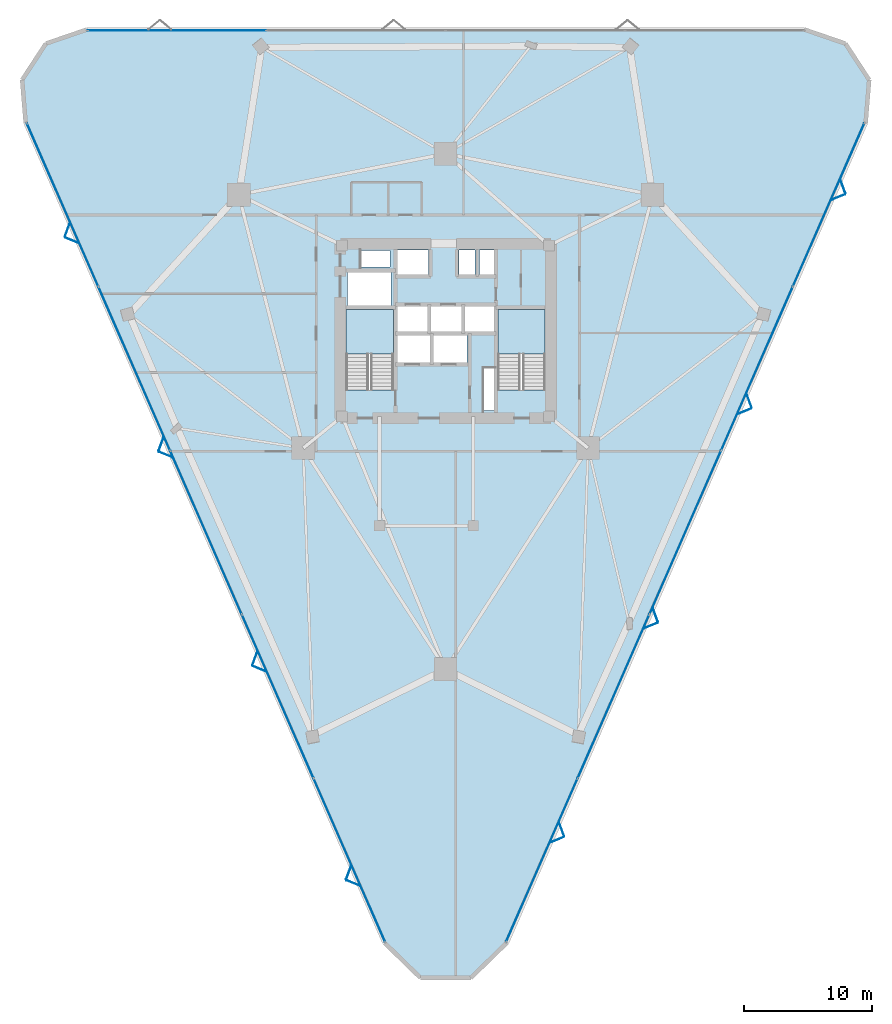
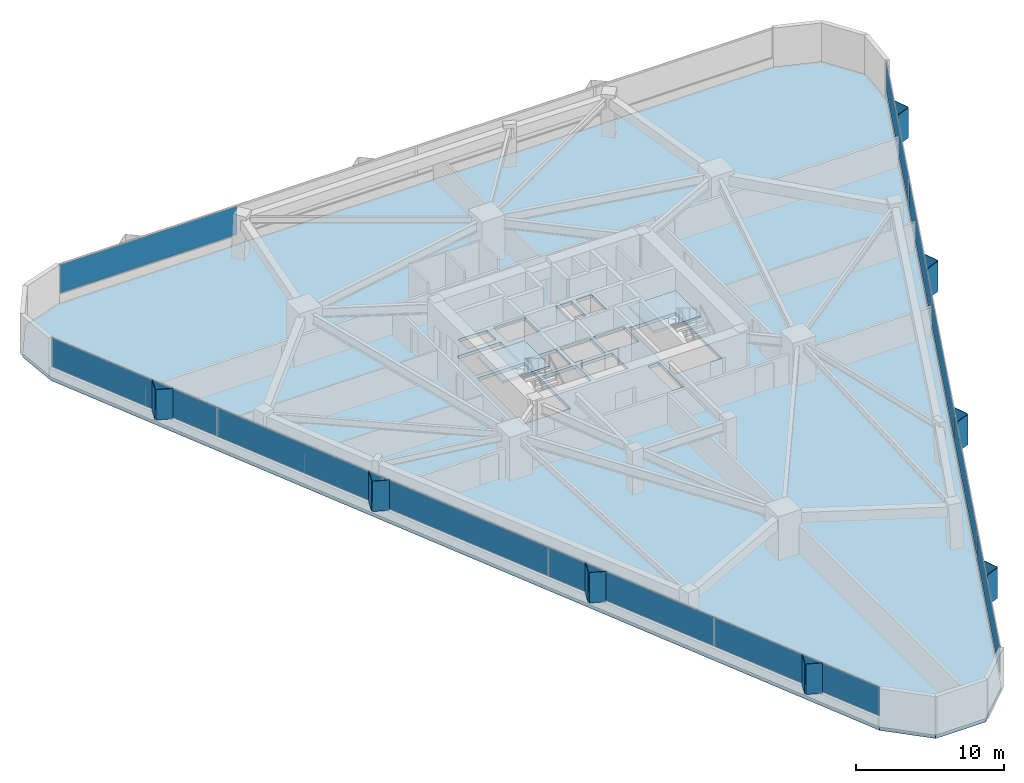
# One storey, part 15 of 20: 27 plates, 3 slabs, 5 elements without a shape of their own.
"""IFC4 building model written with IfcOpenShell, lengths in metres."""

from ifc_helpers import new_model, si_unit, direction, frame, origin, origin_2d, place, context, subcontext, project, spatial, polyline, rectangle, outline, extrude, material, layer, layer_set, type_object, element, aggregate, save


model = new_model("IFC4")

# Units and contexts
model_context = context("Model", 3, precision=1e-05, world=origin(), true_north=direction((0.0, 1.0)))
body_context = subcontext(model_context, "Body", "Model", "MODEL_VIEW")
ifc_project = project(units=[si_unit("LENGTHUNIT", "METRE"), si_unit("AREAUNIT", "SQUARE_METRE"), si_unit("VOLUMEUNIT", "CUBIC_METRE"), si_unit("PLANEANGLEUNIT", "RADIAN"), si_unit("MASSUNIT", "GRAM", prefix="KILO")], contexts=[model_context])

# Site, building, storey
site_placement = place(None, origin())
site = spatial("IfcSite", under=ifc_project, at=site_placement, CompositionType="ELEMENT")
building_placement = place(site_placement, origin())
building = spatial("IfcBuilding", under=site, at=building_placement, Name="Talyreon Biosciences Tower", CompositionType="ELEMENT")
storey_placement = place(building_placement, frame((0.0, 0.0, 62.949951171875)))
storey = spatial("IfcBuildingStorey", under=building, at=storey_placement, Name="L16", CompositionType="ELEMENT", Elevation=62.949951171875)

# Curtain wall, plates
ifc_material_1 = material(Name="Thermally broken aluminium and low-E glazing", Category="aluminium")
ifc_layer_1 = layer(ifc_material_1, 0.195068359375)
ifc_layer_set_1 = layer_set([ifc_layer_1], Name="Thermally broken aluminium and low-E glazing")
curtain_wall_type = type_object("IfcCurtainWallType", Name="CurtainWall_Zone1WetLab", PredefinedType="NOTDEFINED", material=ifc_layer_set_1)
curtain_wall_1_placement = place(storey_placement, origin())
curtain_wall_1 = element("IfcCurtainWall", 1, at=curtain_wall_1_placement, inside=storey, type_object=curtain_wall_type, Name="L16 Unitised Curtain Wall FCW-L16-00", PredefinedType="NOTDEFINED")
ifc_material_2 = material(Name="Triple-silver low-E insulated glazing", Category="glass")
ifc_layer_2 = layer(ifc_material_2, 0.031982421875)
ifc_layer_set_2 = layer_set([ifc_layer_2], Name="Triple-silver low-E insulated glazing")
plate_type_1 = type_object("IfcPlateType", Name="CWGlazingPanel_32", PredefinedType="CURTAIN_PANEL", material=ifc_layer_set_2)
plate_1_placement = place(storey_placement, frame((58.511474609375, 26.815185546875, 0.875), z_axis=(0.0, 0.0, 1.0), x_axis=(-0.400967721165, 0.916092182361, 0.0)))
plate_1 = element("IfcPlate", 2, at=plate_1_placement, type_object=plate_type_1, Name="CW2 panel 1.1", PredefinedType="CURTAIN_PANEL", context=body_context, shape_type="SweptSolid", body=[
    extrude(rectangle(XDim=13.826416015625, YDim=0.031982421875, at=origin_2d()), origin(), (0.0, 0.0, 1.0), 2.360107421875),
])
plate_2_placement = place(storey_placement, frame((52.93505859375, 39.555908203125, 0.875), z_axis=(0.0, 0.0, 1.0), x_axis=(-0.400967721165, 0.916092182361, 0.0)))
plate_2 = element("IfcPlate", 3, at=plate_2_placement, type_object=plate_type_1, Name="CW2 panel 2.1", PredefinedType="CURTAIN_PANEL", context=body_context, shape_type="SweptSolid", body=[
    extrude(rectangle(XDim=13.859130859375, YDim=0.031982421875, at=origin_2d()), origin(), (0.0, 0.0, 1.0), 2.360107421875),
])
plate_3_placement = place(storey_placement, frame((47.351806640625, 52.311767578125, 0.875), z_axis=(0.0, 0.0, 1.0), x_axis=(-0.400967721165, 0.916092182361, 0.0)))
plate_3 = element("IfcPlate", 4, at=plate_3_placement, type_object=plate_type_1, Name="CW2 panel 3.1", PredefinedType="CURTAIN_PANEL", context=body_context, shape_type="SweptSolid", body=[
    extrude(rectangle(XDim=13.859130859375, YDim=0.031982421875, at=origin_2d()), origin(), (0.0, 0.0, 1.0), 2.360107421875),
])
plate_4_placement = place(storey_placement, frame((41.768798828125, 65.0673828125, 0.875), z_axis=(0.0, 0.0, 1.0), x_axis=(-0.400967721165, 0.916092182361, 0.0)))
plate_4 = element("IfcPlate", 5, at=plate_4_placement, type_object=plate_type_1, Name="CW2 panel 4.1", PredefinedType="CURTAIN_PANEL", context=body_context, shape_type="SweptSolid", body=[
    extrude(rectangle(XDim=13.859130859375, YDim=0.031982421875, at=origin_2d()), origin(), (0.0, 0.0, 1.0), 2.360107421875),
])
plate_5_placement = place(storey_placement, frame((36.192138671875, 77.80810546875, 0.875), z_axis=(0.0, 0.0, 1.0), x_axis=(-0.400967721165, 0.916092182361, 0.0)))
plate_5 = element("IfcPlate", 6, at=plate_5_placement, type_object=plate_type_1, Name="CW2 panel 5.1", PredefinedType="CURTAIN_PANEL", context=body_context, shape_type="SweptSolid", body=[
    extrude(rectangle(XDim=13.826416015625, YDim=0.031982421875, at=origin_2d()), origin(), (0.0, 0.0, 1.0), 2.360107421875),
])
aggregate(curtain_wall_1, [plate_1, plate_2, plate_3, plate_4, plate_5])

# Curtain wall, plate
curtain_wall_2_placement = place(storey_placement, origin())
curtain_wall_2 = element("IfcCurtainWall", 7, at=curtain_wall_2_placement, inside=storey, type_object=curtain_wall_type, Name="L16 Unitised Curtain Wall FCW-L16-04", PredefinedType="NOTDEFINED")
plate_6_placement = place(storey_placement, frame((45.07958984375, 91.373779296875, 0.875), z_axis=(0.0, 0.0, 1.0), x_axis=(1.0, 0.0, 0.0)))
plate_6 = element("IfcPlate", 8, at=plate_6_placement, type_object=plate_type_1, Name="CW2 panel 1.1", PredefinedType="CURTAIN_PANEL", context=body_context, shape_type="SweptSolid", body=[
    extrude(rectangle(XDim=13.860107421875, YDim=0.031982421875, at=origin_2d()), origin(), (0.0, 0.0, 1.0), 2.360107421875),
])
aggregate(curtain_wall_2, [plate_6])

# Curtain wall, plates
curtain_wall_3_placement = place(storey_placement, origin())
curtain_wall_3 = element("IfcCurtainWall", 9, at=curtain_wall_3_placement, inside=storey, type_object=curtain_wall_type, Name="L16 Unitised Curtain Wall FCW-L16-08", PredefinedType="NOTDEFINED")
plate_7_placement = place(storey_placement, frame((95.807861328125, 77.80810546875, 0.875), z_axis=(0.0, 0.0, 1.0), x_axis=(-0.400967721165, -0.916092182361, 0.0)))
plate_7 = element("IfcPlate", 10, at=plate_7_placement, type_object=plate_type_1, Name="CW2 panel 1.1", PredefinedType="CURTAIN_PANEL", context=body_context, shape_type="SweptSolid", body=[
    extrude(rectangle(XDim=13.826416015625, YDim=0.031982421875, at=origin_2d()), origin(), (0.0, 0.0, 1.0), 2.360107421875),
])
plate_8_placement = place(storey_placement, frame((90.231201171875, 65.0673828125, 0.875), z_axis=(0.0, 0.0, 1.0), x_axis=(-0.400967721165, -0.916092182361, 0.0)))
plate_8 = element("IfcPlate", 11, at=plate_8_placement, type_object=plate_type_1, Name="CW2 panel 2.1", PredefinedType="CURTAIN_PANEL", context=body_context, shape_type="SweptSolid", body=[
    extrude(rectangle(XDim=13.859130859375, YDim=0.031982421875, at=origin_2d()), origin(), (0.0, 0.0, 1.0), 2.360107421875),
])
plate_9_placement = place(storey_placement, frame((84.648193359375, 52.311767578125, 0.875), z_axis=(0.0, 0.0, 1.0), x_axis=(-0.400967721165, -0.916092182361, 0.0)))
plate_9 = element("IfcPlate", 12, at=plate_9_placement, type_object=plate_type_1, Name="CW2 panel 3.1", PredefinedType="CURTAIN_PANEL", context=body_context, shape_type="SweptSolid", body=[
    extrude(rectangle(XDim=13.859130859375, YDim=0.031982421875, at=origin_2d()), origin(), (0.0, 0.0, 1.0), 2.360107421875),
])
plate_10_placement = place(storey_placement, frame((79.06494140625, 39.555908203125, 0.875), z_axis=(0.0, 0.0, 1.0), x_axis=(-0.400967721165, -0.916092182361, 0.0)))
plate_10 = element("IfcPlate", 13, at=plate_10_placement, type_object=plate_type_1, Name="CW2 panel 4.1", PredefinedType="CURTAIN_PANEL", context=body_context, shape_type="SweptSolid", body=[
    extrude(rectangle(XDim=13.859130859375, YDim=0.031982421875, at=origin_2d()), origin(), (0.0, 0.0, 1.0), 2.360107421875),
])
plate_11_placement = place(storey_placement, frame((73.488525390625, 26.815185546875, 0.875), z_axis=(0.0, 0.0, 1.0), x_axis=(-0.400967721165, -0.916092182361, 0.0)))
plate_11 = element("IfcPlate", 14, at=plate_11_placement, type_object=plate_type_1, Name="CW2 panel 5.1", PredefinedType="CURTAIN_PANEL", context=body_context, shape_type="SweptSolid", body=[
    extrude(rectangle(XDim=13.826416015625, YDim=0.031982421875, at=origin_2d()), origin(), (0.0, 0.0, 1.0), 2.360107421875),
])
aggregate(curtain_wall_3, [plate_7, plate_8, plate_9, plate_10, plate_11])

# Plates
ifc_material_3 = material(Name="Ivory GFRC sunshade panel", Category="concrete")
ifc_layer_3 = layer(ifc_material_3, 0.044921875)
ifc_layer_set_3 = layer_set([ifc_layer_3], Name="Ivory GFRC sunshade panel")
plate_type_2 = type_object("IfcPlateType", Name="FoldedVSunshade_SunFace_SUNSHADE", PredefinedType="USERDEFINED", material=ifc_layer_set_3)
for number, where, z_axis, x_axis, name in (
    (15, (58.8134765625, 25.028076171875, 0.7900390625), (0.0, 0.0, 1.0), (-0.924805205788, 0.380440969597, 0.0), "L16 Folded V-Sunshade Panel 00.01L"),
    (16, (58.45263671875, 25.8525390625, 0.7900390625), (0.0, 0.0, 1.0), (0.347933979008, 0.937519037808, 0.0), "L16 Folded V-Sunshade Panel 00.01R"),
    (17, (51.515869140625, 41.700927734375, 0.7900390625), (0.0, 0.0, 1.0), (-0.924805205788, 0.380440969597, 0.0), "L16 Folded V-Sunshade Panel 00.02L"),
    (18, (51.155029296875, 42.525390625, 0.7900390625), (0.0, 0.0, 1.0), (0.347933979008, 0.937519037808, 0.0), "L16 Folded V-Sunshade Panel 00.02R"),
    (19, (44.21826171875, 58.373779296875, 0.7900390625), (0.0, 0.0, 1.0), (-0.924805205788, 0.380440969597, 0.0), "L16 Folded V-Sunshade Panel 00.03L"),
    (20, (43.857421875, 59.1982421875, 0.7900390625), (0.0, 0.0, 1.0), (0.347933979008, 0.937519037808, 0.0), "L16 Folded V-Sunshade Panel 00.03R"),
    (21, (36.920654296875, 75.046630859375, 0.7900390625), (0.0, 0.0, 1.0), (-0.924805205788, 0.380440969597, 0.0), "L16 Folded V-Sunshade Panel 00.04L"),
    (22, (36.559814453125, 75.87109375, 0.7900390625), (0.0, 0.0, 1.0), (0.347933979008, 0.937519037808, 0.0), "L16 Folded V-Sunshade Panel 00.04R"),
    (23, (96.915771484375, 79.242431640625, 0.7900390625), (0.0, 0.0, 1.0), (0.347933979008, -0.937519037808, 0.0), "L16 Folded V-Sunshade Panel 08.01L"),
    (24, (96.554931640625, 78.41796875, 0.7900390625), (0.0, 0.0, 1.0), (-0.924805205788, -0.380440969597, 0.0), "L16 Folded V-Sunshade Panel 08.01R"),
    (25, (89.6181640625, 62.569580078125, 0.7900390625), (0.0, 0.0, 1.0), (0.347933979008, -0.937519037808, 0.0), "L16 Folded V-Sunshade Panel 08.02L"),
    (26, (89.25732421875, 61.7451171875, 0.7900390625), (0.0, 0.0, 1.0), (-0.924805205788, -0.380440969597, 0.0), "L16 Folded V-Sunshade Panel 08.02R"),
    (27, (82.320556640625, 45.896728515625, 0.7900390625), (0.0, 0.0, 1.0), (0.347933979008, -0.937519037808, 0.0), "L16 Folded V-Sunshade Panel 08.03L"),
    (28, (81.959716796875, 45.072265625, 0.7900390625), (0.0, 0.0, 1.0), (-0.924805205788, -0.380440969597, 0.0), "L16 Folded V-Sunshade Panel 08.03R"),
    (29, (75.02294921875, 29.223876953125, 0.7900390625), (0.0, 0.0, 1.0), (0.347933979008, -0.937519037808, 0.0), "L16 Folded V-Sunshade Panel 08.04L"),
    (30, (74.662109375, 28.3994140625, 0.7900390625), (0.0, 0.0, 1.0), (-0.924805205788, -0.380440969597, 0.0), "L16 Folded V-Sunshade Panel 08.04R"),
):
    element("IfcPlate", number, at=place(storey_placement, frame(where, z_axis=z_axis, x_axis=x_axis)), inside=storey, type_object=plate_type_2, Name=name, ObjectType="SUNSHADE", PredefinedType="USERDEFINED", context=body_context, shape_type="SweptSolid", body=[
        extrude(rectangle(XDim=1.14990234375, YDim=0.044921875, at=origin_2d()), origin(), (0.0, 0.0, 1.0), 2.510009765625),
    ])

# Stair, slab
ifc_material_4 = material(Name="Concrete C40/50", Category="concrete")
stair_type = type_object("IfcStairType", Name="DoglegEscapeStair_3650", PredefinedType="HALF_TURN_STAIR", material=ifc_material_4)
stair_1_placement = place(storey_placement, origin())
stair_1 = element("IfcStair", 31, at=stair_1_placement, inside=storey, type_object=stair_type, Name="L16 Core Escape Stair 1", PredefinedType="HALF_TURN_STAIR")
ifc_layer_4 = layer(ifc_material_4, 0.199951171875)
ifc_layer_set_4 = layer_set([ifc_layer_4], Name="Concrete C40/50")
slab_type_1 = type_object("IfcSlabType", Name="StairLandingSlab_200", PredefinedType="LANDING", material=ifc_layer_set_4)
slab_1_placement = place(storey_placement, frame((0.0, 0.0, 1.625)))
slab_1 = element("IfcSlab", 32, at=slab_1_placement, type_object=slab_type_1, Name="ST-1 landing 1", PredefinedType="LANDING", context=body_context, shape_type="SweptSolid", body=[
    extrude(outline(polyline([(61.929931640625, 66.199951171875), (61.929931640625, 69.64990234375), (58.25, 69.64990234375), (58.25, 66.199951171875), (61.929931640625, 66.199951171875)])), origin(), (0.0, 0.0, 1.0), 0.199951171875),
])
aggregate(stair_1, [slab_1])

stair_2_placement = place(storey_placement, origin())
stair_2 = element("IfcStair", 33, at=stair_2_placement, inside=storey, type_object=stair_type, Name="L16 Core Escape Stair 2", PredefinedType="HALF_TURN_STAIR")
slab_2_placement = place(storey_placement, frame((0.0, 0.0, 1.625)))
slab_2 = element("IfcSlab", 34, at=slab_2_placement, type_object=slab_type_1, Name="ST-2 landing 1", PredefinedType="LANDING", context=body_context, shape_type="SweptSolid", body=[
    extrude(outline(polyline([(73.75, 66.199951171875), (73.75, 69.64990234375), (70.070068359375, 69.64990234375), (70.070068359375, 66.199951171875), (73.75, 66.199951171875)])), origin(), (0.0, 0.0, 1.0), 0.199951171875),
])
aggregate(stair_2, [slab_2])

# Slab
ifc_layer_5 = layer(ifc_material_4, 0.27490234375)
ifc_layer_set_5 = layer_set([ifc_layer_5], Name="Concrete C40/50")
slab_type_2 = type_object("IfcSlabType", Name="WetLabFloorSlab_275", PredefinedType="FLOOR", material=ifc_layer_set_5)
slab_3_placement = place(storey_placement, frame((0.0, 0.0, -0.27490234375)))
element("IfcSlab", 35, at=slab_3_placement, inside=storey, type_object=slab_type_2, Name="L16 Structural Floor Slab", PredefinedType="FLOOR", context=body_context, shape_type="SweptSolid", body=[
    extrude(outline(polyline([(61.236328125, 20.390380859375), (33.32080078125, 84.168701171875), (33.04443359375, 87.533203125), (34.891845703125, 90.3583984375), (38.084716796875, 91.453857421875), (93.915283203125, 91.453857421875), (97.108154296875, 90.3583984375), (98.95556640625, 87.533203125), (98.67919921875, 84.168701171875), (70.763671875, 20.390380859375), (67.9580078125, 17.658203125), (64.0419921875, 17.658203125), (61.236328125, 20.390380859375)]), holes=[polyline([(61.929931640625, 69.64990234375), (61.929931640625, 63.407958984375), (58.25, 63.407958984375), (58.25, 69.64990234375), (61.929931640625, 69.64990234375)]), polyline([(64.800048828125, 65.550048828125), (62.199951171875, 65.550048828125), (62.199951171875, 67.64990234375), (64.800048828125, 67.64990234375), (64.800048828125, 65.550048828125)]), polyline([(64.60009765625, 67.949951171875), (62.199951171875, 67.949951171875), (62.199951171875, 69.949951171875), (64.60009765625, 69.949951171875), (64.60009765625, 67.949951171875)]), polyline([(67.25, 69.949951171875), (67.25, 67.949951171875), (64.85009765625, 67.949951171875), (64.85009765625, 69.949951171875), (67.25, 69.949951171875)]), polyline([(61.75, 69.97998046875), (58.35009765625, 69.97998046875), (58.35009765625, 72.550048828125), (61.75, 72.550048828125), (61.75, 69.97998046875)]), polyline([(64.64990234375, 72.35009765625), (62.199951171875, 72.35009765625), (62.199951171875, 74.300048828125), (64.64990234375, 74.300048828125), (64.64990234375, 72.35009765625)]), polyline([(61.64990234375, 74.25), (61.64990234375, 72.9599609375), (59.39990234375, 72.9599609375), (59.39990234375, 74.25), (61.64990234375, 74.25)]), polyline([(69.820068359375, 61.800048828125), (68.9599609375, 61.800048828125), (68.9599609375, 65.10009765625), (69.820068359375, 65.10009765625), (69.820068359375, 61.800048828125)]), polyline([(73.75, 63.407958984375), (70.070068359375, 63.407958984375), (70.070068359375, 69.64990234375), (73.75, 69.64990234375), (73.75, 63.407958984375)]), polyline([(67.64990234375, 65.550048828125), (65.050048828125, 65.550048828125), (65.050048828125, 67.64990234375), (67.64990234375, 67.64990234375), (67.64990234375, 65.550048828125)]), polyline([(69.89990234375, 67.949951171875), (67.5, 67.949951171875), (67.5, 69.949951171875), (69.89990234375, 69.949951171875), (69.89990234375, 67.949951171875)]), polyline([(68.300048828125, 72.35009765625), (67.050048828125, 72.35009765625), (67.050048828125, 74.300048828125), (68.300048828125, 74.300048828125), (68.300048828125, 72.35009765625)]), polyline([(69.919921875, 72.35009765625), (68.6201171875, 72.35009765625), (68.6201171875, 74.300048828125), (69.919921875, 74.300048828125), (69.919921875, 72.35009765625)])]), origin(), (0.0, 0.0, 1.0), 0.27490234375),
])

save(model, "model.ifc")
